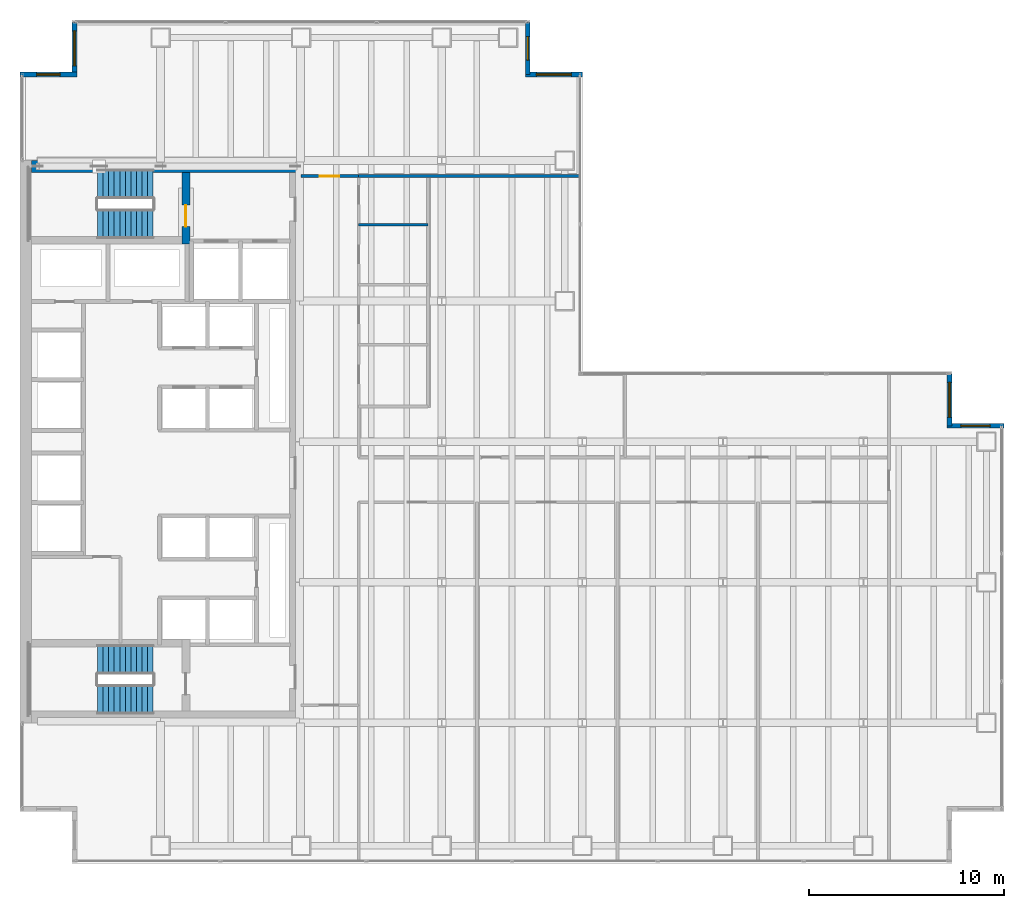
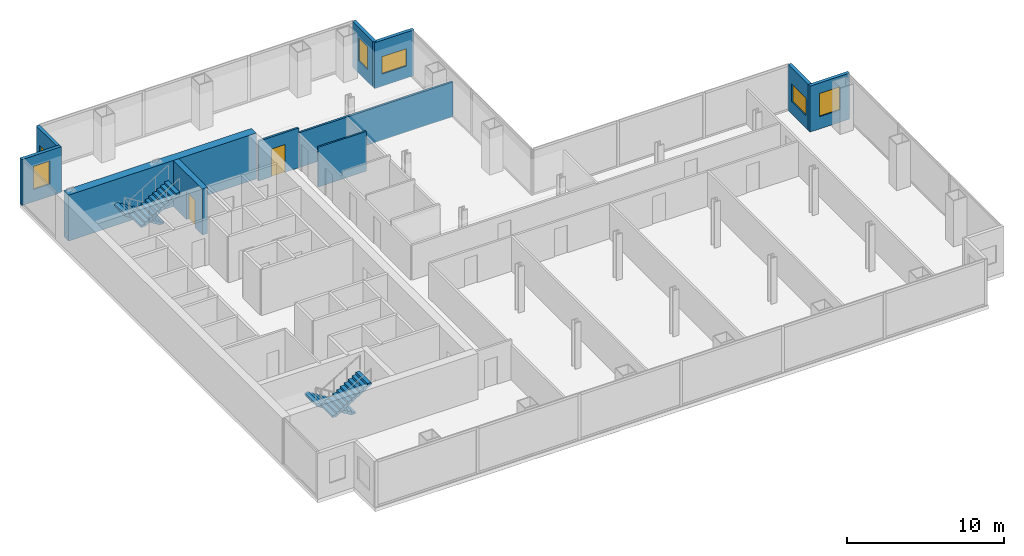
# One storey, part 22 of 23: 11 walls, 6 windows, 4 stair flights, 2 doors, 8 openings, 2 elements without a shape of their own.
"""IFC4 building model written with IfcOpenShell, lengths in metres."""

from ifc_helpers import new_model, si_unit, direction, frame, frame_2d, origin, place, context, subcontext, project, spatial, polyline, rectangle, outline, extrude, material, layer, layer_set, type_object, element, fill, aggregate, save


model = new_model("IFC4")

# Units and contexts
model_context = context("Model", 3, precision=1e-05, world=origin(), true_north=direction((0.0, 1.0)))
body_context = subcontext(model_context, "Body", "Model", "MODEL_VIEW")
ifc_project = project(units=[si_unit("LENGTHUNIT", "METRE"), si_unit("AREAUNIT", "SQUARE_METRE"), si_unit("VOLUMEUNIT", "CUBIC_METRE"), si_unit("PLANEANGLEUNIT", "RADIAN"), si_unit("MASSUNIT", "GRAM", prefix="KILO")], contexts=[model_context])

# Site, building, storey
site_placement = place(None, origin())
site = spatial("IfcSite", under=ifc_project, at=site_placement, CompositionType="ELEMENT")
building_placement = place(site_placement, origin())
building = spatial("IfcBuilding", under=site, at=building_placement, Name="Cobrela Telecom Tower", CompositionType="ELEMENT")
storey_placement = place(building_placement, frame((0.0, 0.0, 50.39990234375)))
storey = spatial("IfcBuildingStorey", under=building, at=storey_placement, Name="L12", CompositionType="ELEMENT", Elevation=50.39990234375)

# Wall
ifc_material_1 = material(Name="Concrete C50/60", Category="concrete")
ifc_layer_1 = layer(ifc_material_1, 0.60009765625)
ifc_layer_set_1 = layer_set([ifc_layer_1], Name="Concrete C50/60")
wall_type_1 = type_object("IfcWallType", Name="WALL-CORE-C50-600", PredefinedType="SHEAR", material=ifc_layer_set_1)
wall_1_placement = place(storey_placement, frame((0.60009765625, 35.699951171875, 0.0), z_axis=(0.0, 0.0, 1.0), x_axis=(1.0, 0.0, 0.0)))
element("IfcWall", 1, at=wall_1_placement, inside=storey, type_object=wall_type_1, Name="L12 North Core Shear Wall", PredefinedType="SHEAR", context=body_context, shape_type="SweptSolid", body=[
    extrude(rectangle(XDim=13.7998046875, YDim=0.60009765625, at=frame_2d((6.89990234375, 0.0))), origin(), (0.0, 0.0, 1.0), 3.570068359375),
])

# Wall, opening, window
ifc_material_2 = material(Name="Concrete C40/50", Category="concrete")
ifc_layer_2 = layer(ifc_material_2, 0.239990234375)
ifc_layer_set_2 = layer_set([ifc_layer_2], Name="Concrete C40/50")
wall_type_2 = type_object("IfcWallType", Name="WALL-EXT-300", PredefinedType="STANDARD", material=ifc_layer_set_2)
wall_2_placement = place(storey_placement, frame((0.0, 40.409912109375, 0.0), z_axis=(0.0, 0.0, 1.0), x_axis=(1.0, 0.0, 0.0)))
wall_2 = element("IfcWall", 2, at=wall_2_placement, inside=storey, type_object=wall_type_2, Name="L12 Insulated Facade Wall 05", PredefinedType="STANDARD", context=body_context, shape_type="SweptSolid", body=[
    extrude(rectangle(XDim=2.909912109375, YDim=0.239990234375, at=frame_2d((1.455078125, 0.0))), origin(), (0.0, 0.0, 1.0), 3.570068359375),
])
opening_1_placement = place(wall_2_placement, frame((0.85498046875, 0.0, 0.949951171875)))
opening_1 = element("IfcOpeningElement", 3, at=opening_1_placement, cuts=wall_2, Name="Opening WN-19", PredefinedType="OPENING", context=body_context, shape_type="SweptSolid", body=[
    extrude(rectangle(XDim=1.199951171875, YDim=1.800048828125, at=frame_2d((0.60009765625, 0.89990234375))), frame((0.0, 0.1318359375, 0.0), z_axis=(0.0, -1.0, 0.0), x_axis=(1.0, 0.0, 0.0)), (0.0, 0.0, 1.0), 0.263916015625),
])
ifc_material_3 = material(Name="Solar-Control Bronze Low-E Glass", Category="glass")
window_type_1 = type_object("IfcWindowType", Name="WIN-MOD-1200", PartitioningType="SINGLE_PANEL", PredefinedType="WINDOW", material=ifc_material_3)
window_1_placement = place(opening_1_placement, origin())
window_1 = element("IfcWindow", 4, at=window_1_placement, inside=storey, type_object=window_type_1, Name="L12 Corner Notch Facade Window 052", OverallHeight=1.800048828125, OverallWidth=1.199951171875, PartitioningType="SINGLE_PANEL", PredefinedType="WINDOW", context=body_context, shape_type="SweptSolid", body=[
    extrude(rectangle(XDim=1.199951171875, YDim=1.800048828125, at=frame_2d((0.60009765625, 0.89990234375))), frame((0.0, 0.030029296875, 0.0), z_axis=(0.0, -1.0, 0.0), x_axis=(1.0, 0.0, 0.0)), (0.0, 0.0, 1.0), 0.06005859375),
])
fill(opening_1, window_1)

wall_3_placement = place(storey_placement, frame((2.7900390625, 40.409912109375, 0.0), z_axis=(0.0, 0.0, 1.0), x_axis=(0.0, 1.0, 0.0)))
wall_3 = element("IfcWall", 5, at=wall_3_placement, inside=storey, type_object=wall_type_2, Name="L12 Insulated Facade Wall 06", PredefinedType="STANDARD", context=body_context, shape_type="SweptSolid", body=[
    extrude(rectangle(XDim=2.670166015625, YDim=0.239990234375, at=frame_2d((1.3349609375, 0.0))), origin(), (0.0, 0.0, 1.0), 3.570068359375),
])
opening_2_placement = place(wall_3_placement, frame((0.43505859375, 0.0, 0.949951171875)))
opening_2 = element("IfcOpeningElement", 6, at=opening_2_placement, cuts=wall_3, Name="Opening WN-27", PredefinedType="OPENING", context=body_context, shape_type="SweptSolid", body=[
    extrude(rectangle(XDim=1.800048828125, YDim=1.35009765625, at=frame_2d((0.89990234375, 0.675048828125))), frame((0.0, 0.1318359375, 0.0), z_axis=(0.0, -1.0, 0.0), x_axis=(1.0, 0.0, 0.0)), (0.0, 0.0, 1.0), 0.263916015625),
])
window_type_2 = type_object("IfcWindowType", Name="WIN-CLER-1800", PartitioningType="SINGLE_PANEL", PredefinedType="WINDOW", material=ifc_material_3)
window_2_placement = place(opening_2_placement, origin())
window_2 = element("IfcWindow", 7, at=window_2_placement, inside=storey, type_object=window_type_2, Name="L12 Corner Notch Facade Window 053", OverallHeight=1.35009765625, OverallWidth=1.800048828125, PartitioningType="SINGLE_PANEL", PredefinedType="WINDOW", context=body_context, shape_type="SweptSolid", body=[
    extrude(rectangle(XDim=1.800048828125, YDim=1.35009765625, at=frame_2d((0.89990234375, 0.675048828125))), frame((0.0, 0.030029296875, 0.0), z_axis=(0.0, -1.0, 0.0), x_axis=(1.0, 0.0, 0.0)), (0.0, 0.0, 1.0), 0.06005859375),
])
fill(opening_2, window_2)

wall_4_placement = place(storey_placement, frame((26.010009765625, 43.080078125, 0.0), z_axis=(0.0, 0.0, 1.0), x_axis=(0.0, -1.0, 0.0)))
wall_4 = element("IfcWall", 8, at=wall_4_placement, inside=storey, type_object=wall_type_2, Name="L12 Insulated Facade Wall 08", PredefinedType="STANDARD", context=body_context, shape_type="SweptSolid", body=[
    extrude(rectangle(XDim=2.670166015625, YDim=0.239990234375, at=frame_2d((1.3349609375, 0.0))), origin(), (0.0, 0.0, 1.0), 3.570068359375),
])
opening_3_placement = place(wall_4_placement, frame((0.735107421875, 0.0, 0.949951171875)))
opening_3 = element("IfcOpeningElement", 9, at=opening_3_placement, cuts=wall_4, Name="Opening WN-19", PredefinedType="OPENING", context=body_context, shape_type="SweptSolid", body=[
    extrude(rectangle(XDim=1.199951171875, YDim=1.800048828125, at=frame_2d((0.60009765625, 0.89990234375))), frame((0.0, 0.1318359375, 0.0), z_axis=(0.0, -1.0, 0.0), x_axis=(1.0, 0.0, 0.0)), (0.0, 0.0, 1.0), 0.263916015625),
])
window_3_placement = place(opening_3_placement, origin())
window_3 = element("IfcWindow", 10, at=window_3_placement, inside=storey, type_object=window_type_1, Name="L12 Corner Notch Facade Window 054", OverallHeight=1.800048828125, OverallWidth=1.199951171875, PartitioningType="SINGLE_PANEL", PredefinedType="WINDOW", context=body_context, shape_type="SweptSolid", body=[
    extrude(rectangle(XDim=1.199951171875, YDim=1.800048828125, at=frame_2d((0.60009765625, 0.89990234375))), frame((0.0, 0.030029296875, 0.0), z_axis=(0.0, -1.0, 0.0), x_axis=(1.0, 0.0, 0.0)), (0.0, 0.0, 1.0), 0.06005859375),
])
fill(opening_3, window_3)

wall_5_placement = place(storey_placement, frame((25.889892578125, 40.409912109375, 0.0), z_axis=(0.0, 0.0, 1.0), x_axis=(1.0, 0.0, 0.0)))
wall_5 = element("IfcWall", 11, at=wall_5_placement, inside=storey, type_object=wall_type_2, Name="L12 Insulated Facade Wall 09", PredefinedType="STANDARD", context=body_context, shape_type="SweptSolid", body=[
    extrude(rectangle(XDim=2.91015625, YDim=0.239990234375, at=frame_2d((1.455078125, 0.0))), origin(), (0.0, 0.0, 1.0), 3.570068359375),
])
opening_4_placement = place(wall_5_placement, frame((0.554931640625, 0.0, 0.949951171875)))
opening_4 = element("IfcOpeningElement", 12, at=opening_4_placement, cuts=wall_5, Name="Opening WN-27", PredefinedType="OPENING", context=body_context, shape_type="SweptSolid", body=[
    extrude(rectangle(XDim=1.800048828125, YDim=1.35009765625, at=frame_2d((0.89990234375, 0.675048828125))), frame((0.0, 0.1318359375, 0.0), z_axis=(0.0, -1.0, 0.0), x_axis=(1.0, 0.0, 0.0)), (0.0, 0.0, 1.0), 0.263916015625),
])
window_4_placement = place(opening_4_placement, origin())
window_4 = element("IfcWindow", 13, at=window_4_placement, inside=storey, type_object=window_type_2, Name="L12 Corner Notch Facade Window 055", OverallHeight=1.35009765625, OverallWidth=1.800048828125, PartitioningType="SINGLE_PANEL", PredefinedType="WINDOW", context=body_context, shape_type="SweptSolid", body=[
    extrude(rectangle(XDim=1.800048828125, YDim=1.35009765625, at=frame_2d((0.89990234375, 0.675048828125))), frame((0.0, 0.030029296875, 0.0), z_axis=(0.0, -1.0, 0.0), x_axis=(1.0, 0.0, 0.0)), (0.0, 0.0, 1.0), 0.06005859375),
])
fill(opening_4, window_4)

wall_6_placement = place(storey_placement, frame((47.610107421875, 25.080078125, 0.0), z_axis=(0.0, 0.0, 1.0), x_axis=(0.0, -1.0, 0.0)))
wall_6 = element("IfcWall", 14, at=wall_6_placement, inside=storey, type_object=wall_type_2, Name="L12 Insulated Facade Wall 12", PredefinedType="STANDARD", context=body_context, shape_type="SweptSolid", body=[
    extrude(rectangle(XDim=2.670166015625, YDim=0.239990234375, at=frame_2d((1.3349609375, 0.0))), origin(), (0.0, 0.0, 1.0), 3.570068359375),
])
opening_5_placement = place(wall_6_placement, frame((0.43505859375, 0.0, 0.949951171875)))
opening_5 = element("IfcOpeningElement", 15, at=opening_5_placement, cuts=wall_6, Name="Opening WN-27", PredefinedType="OPENING", context=body_context, shape_type="SweptSolid", body=[
    extrude(rectangle(XDim=1.800048828125, YDim=1.35009765625, at=frame_2d((0.89990234375, 0.675048828125))), frame((0.0, 0.1318359375, 0.0), z_axis=(0.0, -1.0, 0.0), x_axis=(1.0, 0.0, 0.0)), (0.0, 0.0, 1.0), 0.263916015625),
])
window_5_placement = place(opening_5_placement, origin())
window_5 = element("IfcWindow", 16, at=window_5_placement, inside=storey, type_object=window_type_2, Name="L12 Corner Notch Facade Window 056", OverallHeight=1.35009765625, OverallWidth=1.800048828125, PartitioningType="SINGLE_PANEL", PredefinedType="WINDOW", context=body_context, shape_type="SweptSolid", body=[
    extrude(rectangle(XDim=1.800048828125, YDim=1.35009765625, at=frame_2d((0.89990234375, 0.675048828125))), frame((0.0, 0.030029296875, 0.0), z_axis=(0.0, -1.0, 0.0), x_axis=(1.0, 0.0, 0.0)), (0.0, 0.0, 1.0), 0.06005859375),
])
fill(opening_5, window_5)

wall_7_placement = place(storey_placement, frame((47.489990234375, 22.409912109375, 0.0), z_axis=(0.0, 0.0, 1.0), x_axis=(1.0, 0.0, 0.0)))
wall_7 = element("IfcWall", 17, at=wall_7_placement, inside=storey, type_object=wall_type_2, Name="L12 Insulated Facade Wall 13", PredefinedType="STANDARD", context=body_context, shape_type="SweptSolid", body=[
    extrude(rectangle(XDim=2.909912109375, YDim=0.239990234375, at=frame_2d((1.455078125, 0.0))), origin(), (0.0, 0.0, 1.0), 3.570068359375),
])
opening_6_placement = place(wall_7_placement, frame((0.705078125, 0.0, 0.949951171875)))
opening_6 = element("IfcOpeningElement", 18, at=opening_6_placement, cuts=wall_7, Name="Opening WN-45", PredefinedType="OPENING", context=body_context, shape_type="SweptSolid", body=[
    extrude(rectangle(XDim=1.5, YDim=1.800048828125, at=frame_2d((0.75, 0.89990234375))), frame((0.0, 0.1318359375, 0.0), z_axis=(0.0, -1.0, 0.0), x_axis=(1.0, 0.0, 0.0)), (0.0, 0.0, 1.0), 0.263916015625),
])
window_type_3 = type_object("IfcWindowType", Name="WIN-MOD-1500", PartitioningType="SINGLE_PANEL", PredefinedType="WINDOW", material=ifc_material_3)
window_6_placement = place(opening_6_placement, origin())
window_6 = element("IfcWindow", 19, at=window_6_placement, inside=storey, type_object=window_type_3, Name="L12 Corner Notch Facade Window 057", OverallHeight=1.800048828125, OverallWidth=1.5, PartitioningType="SINGLE_PANEL", PredefinedType="WINDOW", context=body_context, shape_type="SweptSolid", body=[
    extrude(rectangle(XDim=1.5, YDim=1.800048828125, at=frame_2d((0.75, 0.89990234375))), frame((0.0, 0.030029296875, 0.0), z_axis=(0.0, -1.0, 0.0), x_axis=(1.0, 0.0, 0.0)), (0.0, 0.0, 1.0), 0.06005859375),
])
fill(opening_6, window_6)

# Wall
ifc_material_4 = material(Name="Fire-Rated Gypsum Plasterboard")
ifc_layer_3 = layer(ifc_material_4, 0.125)
ifc_layer_set_3 = layer_set([ifc_layer_3], Name="Fire-Rated Gypsum Plasterboard")
wall_type_3 = type_object("IfcWallType", Name="WALL-PART-125", PredefinedType="PARTITIONING", material=ifc_layer_set_3)
wall_8_placement = place(storey_placement, frame((17.35009765625, 32.7099609375, 0.0), z_axis=(0.0, 0.0, 1.0), x_axis=(1.0, 0.0, 0.0)))
element("IfcWall", 20, at=wall_8_placement, inside=storey, type_object=wall_type_3, Name="L12 Interior Partition W-WCD-3", PredefinedType="PARTITIONING", context=body_context, shape_type="SweptSolid", body=[
    extrude(rectangle(XDim=3.5498046875, YDim=0.125, at=frame_2d((1.77490234375, 0.0))), origin(), (0.0, 0.0, 1.0), 3.088134765625),
])

# Wall, opening, door
ifc_layer_4 = layer(ifc_material_4, 0.14990234375)
ifc_layer_set_4 = layer_set([ifc_layer_4], Name="Fire-Rated Gypsum Plasterboard")
wall_type_4 = type_object("IfcWallType", Name="WALL-PART-150", PredefinedType="PARTITIONING", material=ifc_layer_set_4)
wall_9_placement = place(storey_placement, frame((14.39990234375, 35.199951171875, 0.0), z_axis=(0.0, 0.0, 1.0), x_axis=(1.0, 0.0, 0.0)))
wall_9 = element("IfcWall", 21, at=wall_9_placement, inside=storey, type_object=wall_type_4, Name="L12 Interior Partition W-C-N0", PredefinedType="PARTITIONING", context=body_context, shape_type="SweptSolid", body=[
    extrude(rectangle(XDim=2.9501953125, YDim=0.14990234375, at=frame_2d((1.47509765625, 0.0))), origin(), (0.0, 0.0, 1.0), 3.088134765625),
])
opening_7_placement = place(wall_9_placement, frame((0.949951171875, 0.0, 0.0)))
opening_7 = element("IfcOpeningElement", 22, at=opening_7_placement, cuts=wall_9, Name="Opening DR-31", PredefinedType="OPENING", context=body_context, shape_type="SweptSolid", body=[
    extrude(rectangle(XDim=1.0, YDim=2.14990234375, at=frame_2d((0.5, 1.074951171875))), frame((0.0, 0.0869140625, 0.0), z_axis=(0.0, -1.0, 0.0), x_axis=(1.0, 0.0, 0.0)), (0.0, 0.0, 1.0), 0.173828125),
])
ifc_material_5 = material(Name="Solid Engineered Oak Timber", Category="wood")
door_type_1 = type_object("IfcDoorType", Name="DOOR-INT-1000", OperationType="SINGLE_SWING_LEFT", PredefinedType="DOOR", material=ifc_material_5)
door_1_placement = place(opening_7_placement, origin())
door_1 = element("IfcDoor", 23, at=door_1_placement, inside=storey, type_object=door_type_1, Name="L12 Door DR-31", OperationType="SINGLE_SWING_LEFT", OverallHeight=2.14990234375, OverallWidth=1.0, PredefinedType="DOOR", context=body_context, shape_type="SweptSolid", body=[
    extrude(rectangle(XDim=1.0, YDim=2.14990234375, at=frame_2d((0.5, 1.074951171875))), frame((0.0, 0.02490234375, 0.0), z_axis=(0.0, -1.0, 0.0), x_axis=(1.0, 0.0, 0.0)), (0.0, 0.0, 1.0), 0.050048828125),
])
fill(opening_7, door_1)

# Wall
wall_10_placement = place(storey_placement, frame((17.35009765625, 35.199951171875, 0.0), z_axis=(0.0, 0.0, 1.0), x_axis=(1.0, 0.0, 0.0)))
element("IfcWall", 24, at=wall_10_placement, inside=storey, type_object=wall_type_4, Name="L12 Interior Partition W-NW-S", PredefinedType="PARTITIONING", context=body_context, shape_type="SweptSolid", body=[
    extrude(rectangle(XDim=11.329833984375, YDim=0.14990234375, at=frame_2d((5.6650390625, 0.0))), origin(), (0.0, 0.0, 1.0), 2.69921875),
])

# Wall, opening, door
ifc_layer_5 = layer(ifc_material_2, 0.39990234375)
ifc_layer_set_5 = layer_set([ifc_layer_5], Name="Concrete C40/50")
wall_type_5 = type_object("IfcWallType", Name="WALL-SHAFT-C40-400", PredefinedType="SHEAR", material=ifc_layer_set_5)
wall_11_placement = place(storey_placement, frame((8.5, 31.719970703125, 0.0), z_axis=(0.0, 0.0, 1.0), x_axis=(0.0, 1.0, 0.0)))
wall_11 = element("IfcWall", 25, at=wall_11_placement, inside=storey, type_object=wall_type_5, Name="L12 North Stair Lobby Shear Wall", PredefinedType="SHEAR", context=body_context, shape_type="SweptSolid", body=[
    extrude(rectangle(XDim=3.679931640625, YDim=0.39990234375, at=frame_2d((1.83984375, 0.0))), origin(), (0.0, 0.0, 1.0), 3.570068359375),
])
opening_8_placement = place(wall_11_placement, frame((0.89990234375, 0.0, 0.0)))
opening_8 = element("IfcOpeningElement", 26, at=opening_8_placement, cuts=wall_11, Name="Opening DR-59", PredefinedType="OPENING", context=body_context, shape_type="SweptSolid", body=[
    extrude(rectangle(XDim=1.10009765625, YDim=2.14990234375, at=frame_2d((0.550048828125, 1.074951171875))), frame((0.0, 0.2119140625, 0.0), z_axis=(0.0, -1.0, 0.0), x_axis=(1.0, 0.0, 0.0)), (0.0, 0.0, 1.0), 0.423828125),
])
ifc_material_6 = material(Name="Steel ASTM A36", Category="steel")
door_type_2 = type_object("IfcDoorType", Name="DOOR-FD60-1100", OperationType="SINGLE_SWING_LEFT", PredefinedType="DOOR", material=ifc_material_6)
door_2_placement = place(opening_8_placement, origin())
door_2 = element("IfcDoor", 27, at=door_2_placement, inside=storey, type_object=door_type_2, Name="L12 Door DR-59", OperationType="SINGLE_SWING_RIGHT", OverallHeight=2.14990234375, OverallWidth=1.10009765625, PredefinedType="DOOR", context=body_context, shape_type="SweptSolid", body=[
    extrude(rectangle(XDim=1.10009765625, YDim=2.14990234375, at=frame_2d((0.550048828125, 1.074951171875))), frame((0.0, 0.02490234375, 0.0), z_axis=(0.0, -1.0, 0.0), x_axis=(1.0, 0.0, 0.0)), (0.0, 0.0, 1.0), 0.050048828125),
])
fill(opening_8, door_2)

# Stair, stair flights
stair_type = type_object("IfcStairType", Name="STAIR-CORE", PredefinedType="HALF_TURN_STAIR", material=ifc_material_2)
stair_1_placement = place(storey_placement, origin())
stair_1 = element("IfcStair", 28, at=stair_1_placement, inside=storey, type_object=stair_type, Name="L12 Smokeproof Exit Stair ST1", PredefinedType="HALF_TURN_STAIR")
stair_flight_type = type_object("IfcStairFlightType", Name="FLIGHT-CORE", PredefinedType="STRAIGHT", material=ifc_material_2)
stair_flight_1_placement = place(storey_placement, frame((6.820068359375, 34.800048828125, 0.0), z_axis=(0.0, 0.0, 1.0), x_axis=(-1.0, 0.0, 0.0)))
stair_flight_1 = element("IfcStairFlight", 29, at=stair_flight_1_placement, type_object=stair_flight_type, Name="ST1 flight 1", NumberOfRisers=11, NumberOfTreads=10, PredefinedType="STRAIGHT", RiserHeight=0.175, TreadLength=0.285, context=body_context, shape_type="SweptSolid", body=[
    extrude(outline(polyline([(0.0, 0.0), (0.0, 0.175048828125), (0.284912109375, 0.175048828125), (0.284912109375, 0.35009765625), (0.570068359375, 0.35009765625), (0.570068359375, 0.52490234375), (0.85498046875, 0.52490234375), (0.85498046875, 0.699951171875), (1.139892578125, 0.699951171875), (1.139892578125, 0.875), (1.425048828125, 0.875), (1.425048828125, 1.050048828125), (1.7099609375, 1.050048828125), (1.7099609375, 1.22509765625), (1.9951171875, 1.22509765625), (1.9951171875, 1.39990234375), (2.280029296875, 1.39990234375), (2.280029296875, 1.574951171875), (2.56494140625, 1.574951171875), (2.56494140625, 1.75), (2.85009765625, 1.75), (2.85009765625, 1.925048828125), (2.85009765625, 1.573974609375), (0.286376953125, 0.0), (0.0, 0.0)])), frame((0.0, 0.75, 0.0), z_axis=(0.0, -1.0, 0.0), x_axis=(1.0, 0.0, 0.0)), (0.0, 0.0, 1.0), 1.5),
])
stair_flight_2_placement = place(storey_placement, frame((3.969970703125, 32.75, 1.925048828125), z_axis=(0.0, 0.0, 1.0), x_axis=(1.0, 0.0, 0.0)))
stair_flight_2 = element("IfcStairFlight", 30, at=stair_flight_2_placement, type_object=stair_flight_type, Name="ST1 flight 2", NumberOfRisers=11, NumberOfTreads=10, PredefinedType="STRAIGHT", RiserHeight=0.175, TreadLength=0.285, context=body_context, shape_type="SweptSolid", body=[
    extrude(outline(polyline([(0.0, 0.0), (0.0, 0.175048828125), (0.284912109375, 0.175048828125), (0.284912109375, 0.35009765625), (0.570068359375, 0.35009765625), (0.570068359375, 0.52490234375), (0.85498046875, 0.52490234375), (0.85498046875, 0.699951171875), (1.139892578125, 0.699951171875), (1.139892578125, 0.875), (1.425048828125, 0.875), (1.425048828125, 1.050048828125), (1.7099609375, 1.050048828125), (1.7099609375, 1.22509765625), (1.9951171875, 1.22509765625), (1.9951171875, 1.39990234375), (2.280029296875, 1.39990234375), (2.280029296875, 1.574951171875), (2.56494140625, 1.574951171875), (2.56494140625, 1.75), (2.85009765625, 1.75), (2.85009765625, 1.925048828125), (2.85009765625, 1.573974609375), (0.286376953125, 0.0), (0.0, 0.0)])), frame((0.0, 0.75, 0.0), z_axis=(0.0, -1.0, 0.0), x_axis=(1.0, 0.0, 0.0)), (0.0, 0.0, 1.0), 1.5),
])
aggregate(stair_1, [stair_flight_1, stair_flight_2])

stair_2_placement = place(storey_placement, origin())
stair_2 = element("IfcStair", 31, at=stair_2_placement, inside=storey, type_object=stair_type, Name="L12 Smokeproof Exit Stair ST2", PredefinedType="HALF_TURN_STAIR")
stair_flight_3_placement = place(storey_placement, frame((6.820068359375, 10.449951171875, 0.0), z_axis=(0.0, 0.0, 1.0), x_axis=(-1.0, 0.0, 0.0)))
stair_flight_3 = element("IfcStairFlight", 32, at=stair_flight_3_placement, type_object=stair_flight_type, Name="ST2 flight 1", NumberOfRisers=11, NumberOfTreads=10, PredefinedType="STRAIGHT", RiserHeight=0.175, TreadLength=0.285, context=body_context, shape_type="SweptSolid", body=[
    extrude(outline(polyline([(0.0, 0.0), (0.0, 0.175048828125), (0.284912109375, 0.175048828125), (0.284912109375, 0.35009765625), (0.570068359375, 0.35009765625), (0.570068359375, 0.52490234375), (0.85498046875, 0.52490234375), (0.85498046875, 0.699951171875), (1.139892578125, 0.699951171875), (1.139892578125, 0.875), (1.425048828125, 0.875), (1.425048828125, 1.050048828125), (1.7099609375, 1.050048828125), (1.7099609375, 1.22509765625), (1.9951171875, 1.22509765625), (1.9951171875, 1.39990234375), (2.280029296875, 1.39990234375), (2.280029296875, 1.574951171875), (2.56494140625, 1.574951171875), (2.56494140625, 1.75), (2.85009765625, 1.75), (2.85009765625, 1.925048828125), (2.85009765625, 1.573974609375), (0.286376953125, 0.0), (0.0, 0.0)])), frame((0.0, 0.75, 0.0), z_axis=(0.0, -1.0, 0.0), x_axis=(1.0, 0.0, 0.0)), (0.0, 0.0, 1.0), 1.5),
])
stair_flight_4_placement = place(storey_placement, frame((3.969970703125, 8.39990234375, 1.925048828125), z_axis=(0.0, 0.0, 1.0), x_axis=(1.0, 0.0, 0.0)))
stair_flight_4 = element("IfcStairFlight", 33, at=stair_flight_4_placement, type_object=stair_flight_type, Name="ST2 flight 2", NumberOfRisers=11, NumberOfTreads=10, PredefinedType="STRAIGHT", RiserHeight=0.175, TreadLength=0.285, context=body_context, shape_type="SweptSolid", body=[
    extrude(outline(polyline([(0.0, 0.0), (0.0, 0.175048828125), (0.284912109375, 0.175048828125), (0.284912109375, 0.35009765625), (0.570068359375, 0.35009765625), (0.570068359375, 0.52490234375), (0.85498046875, 0.52490234375), (0.85498046875, 0.699951171875), (1.139892578125, 0.699951171875), (1.139892578125, 0.875), (1.425048828125, 0.875), (1.425048828125, 1.050048828125), (1.7099609375, 1.050048828125), (1.7099609375, 1.22509765625), (1.9951171875, 1.22509765625), (1.9951171875, 1.39990234375), (2.280029296875, 1.39990234375), (2.280029296875, 1.574951171875), (2.56494140625, 1.574951171875), (2.56494140625, 1.75), (2.85009765625, 1.75), (2.85009765625, 1.925048828125), (2.85009765625, 1.573974609375), (0.286376953125, 0.0), (0.0, 0.0)])), frame((0.0, 0.75, 0.0), z_axis=(0.0, -1.0, 0.0), x_axis=(1.0, 0.0, 0.0)), (0.0, 0.0, 1.0), 1.5),
])
aggregate(stair_2, [stair_flight_3, stair_flight_4])

save(model, "model.ifc")
